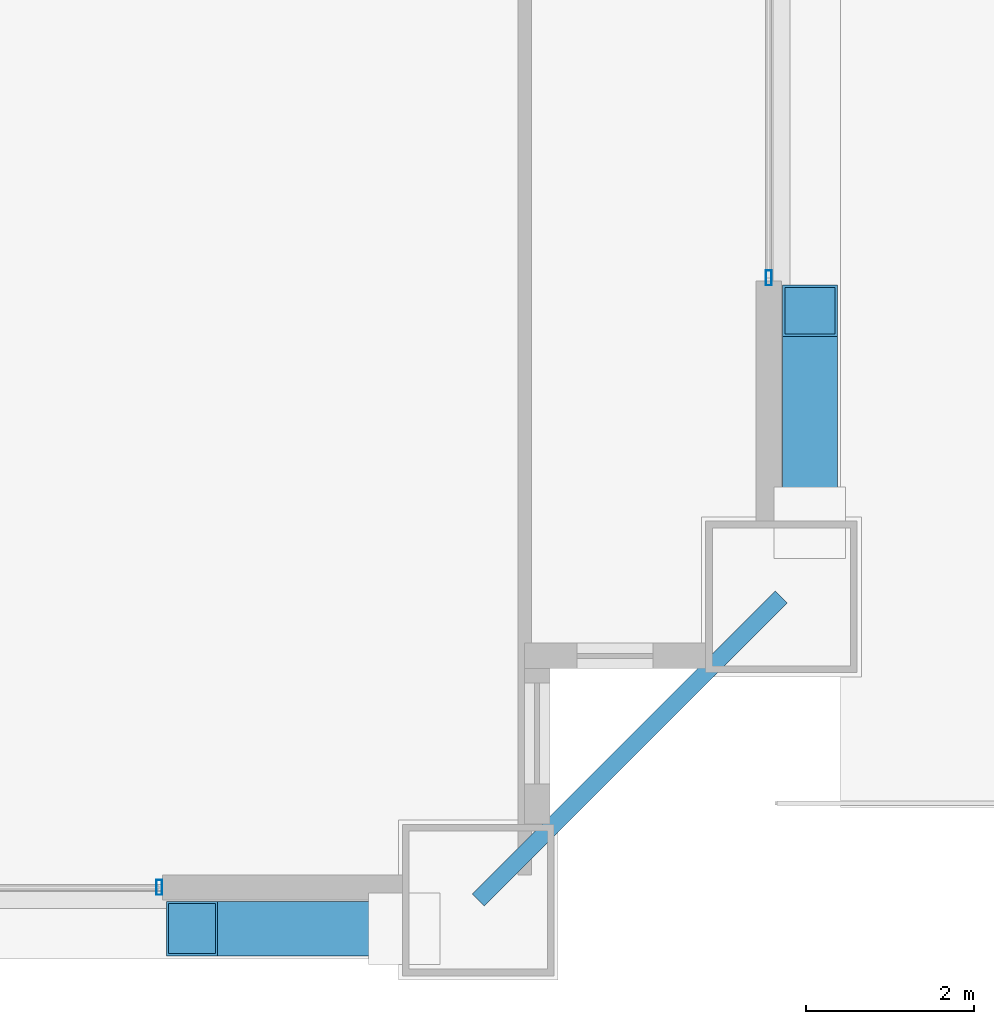
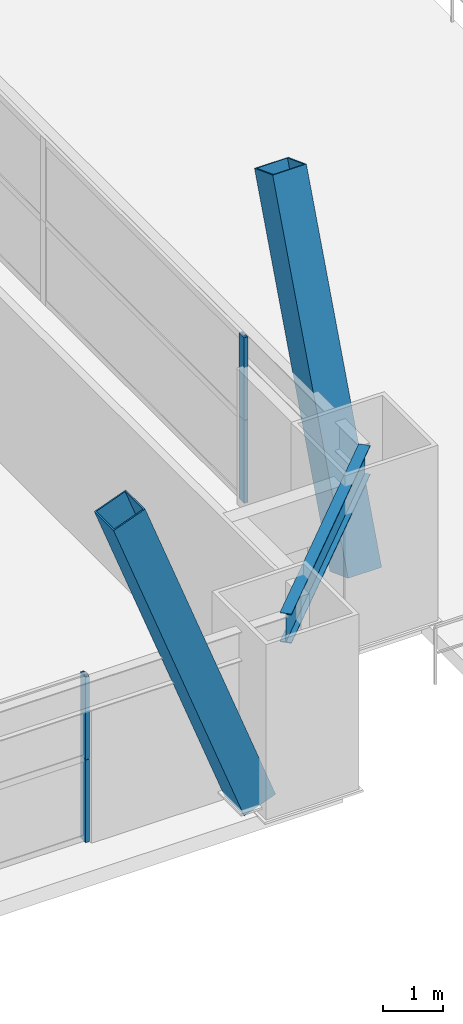
# One storey, part 15 of 45: 6 members, 1 beam, 2 elements without a shape of their own.
"""IFC4 building model written with IfcOpenShell, lengths in metres."""

from ifc_helpers import new_model, si_unit, direction, frame, origin, origin_2d, place, context, subcontext, project, spatial, hollow_rectangle, i_section, extrude, source, transform, mapped, material, layer, layer_set, material_profile, profile_set, type_object, element, aggregate, save


model = new_model("IFC4")

# Units and contexts
model_context = context("Model", 3, precision=1e-05, world=origin(), true_north=direction((0.0, 1.0)))
body_context = subcontext(model_context, "Body", "Model", "MODEL_VIEW")
ifc_project = project(units=[si_unit("LENGTHUNIT", "METRE"), si_unit("AREAUNIT", "SQUARE_METRE"), si_unit("VOLUMEUNIT", "CUBIC_METRE"), si_unit("PLANEANGLEUNIT", "RADIAN"), si_unit("MASSUNIT", "GRAM", prefix="KILO"), si_unit("THERMODYNAMICTEMPERATUREUNIT", "KELVIN"), si_unit("POWERUNIT", "WATT")], contexts=[model_context])

# Site, building, storey
site_placement = place(None, origin())
site = spatial("IfcSite", under=ifc_project, at=site_placement, CompositionType="ELEMENT")
building_placement = place(site_placement, origin())
building = spatial("IfcBuilding", under=site, at=building_placement, Name="Yuzanri Waterfront Tower", CompositionType="ELEMENT")
storey_placement = place(building_placement, frame((0.0, 0.0, 30.60009765625)))
storey = spatial("IfcBuildingStorey", under=building, at=storey_placement, Name="L07", CompositionType="ELEMENT", Elevation=30.60009765625)

# Beam
ifc_material_1 = material(Name="Steel Q355B", Category="steel")
ifc_material_profile_1 = material_profile(ifc_material_1, i_section(OverallWidth=0.199951171875, OverallDepth=0.60009765625, WebThickness=0.010986328125, FlangeThickness=0.01708984375, at=origin_2d()), Name="HN 600x200x11x17")
ifc_profile_set_1 = profile_set([ifc_material_profile_1], Name="Steel Q355B")
beam_type = type_object("IfcBeamType", Name="Perimeter Spandrel Q355B HN 600x200", PredefinedType="SPANDREL", material=ifc_profile_set_1)
shared_shape_1 = source(origin(), body_context, "Body", "SweptSolid", [
    extrude(i_section(OverallWidth=0.199951171875, OverallDepth=0.60009765625, WebThickness=0.010986328125, FlangeThickness=0.01708984375, at=origin_2d()), origin(), (0.0, 0.0, 1.0), 5.09130859375),
])
beam_placement = place(storey_placement, frame((58.5, 0.699951171875, 3.079833984375), z_axis=(0.707106781187, 0.707106781187, 0.0), x_axis=(-0.707106781187, 0.707106781187, 0.0)))
element("IfcBeam", 1, at=beam_placement, inside=storey, type_object=beam_type, Name="L07 Perimeter Spandrel S3-E1", PredefinedType="SPANDREL", context=body_context, shape_type="MappedRepresentation", body=[
    mapped(shared_shape_1, transform((0.0, 0.0, 0.0), scale=1.0)),
])

# Members
ifc_material_2 = material(Name="Steel Q420GJC", Category="steel")
ifc_material_profile_2 = material_profile(ifc_material_2, hollow_rectangle(XDim=0.64990234375, YDim=0.64990234375, WallThickness=0.028076171875, at=origin_2d()), Name="RHS 650x650x28")
ifc_profile_set_2 = profile_set([ifc_material_profile_2], Name="Steel Q420GJC")
member_type_1 = type_object("IfcMemberType", Name="Mega Brace Lower Q420GJC RHS 650x650x28", PredefinedType="BRACE", material=ifc_profile_set_2)
shared_shape_2 = source(origin(), body_context, "Body", "SweptSolid", [
    extrude(hollow_rectangle(XDim=0.64990234375, YDim=0.64990234375, WallThickness=0.028076171875, at=origin_2d()), origin(), (0.0, 0.0, 1.0), 7.158203125),
])
for number, where, z_axis, x_axis, name in (
    (2, (57.6201171875, 0.360107421875, 0.179931640625), (-0.352046480343, 0.0, 0.935982518896), (0.0, -1.0, 0.0), "L07-L08 Perimeter Mega-Brace S-R"),
    (3, (62.43994140625, 5.179931640625, 0.179931640625), (0.0, 0.352046480343, 0.935982518896), (-1.0, 0.0, 0.0), "L07-L08 Perimeter Mega-Brace E-L"),
):
    element("IfcMember", number, at=place(storey_placement, frame(where, z_axis=z_axis, x_axis=x_axis)), inside=storey, type_object=member_type_1, Name=name, PredefinedType="BRACE", context=body_context, shape_type="MappedRepresentation", body=[
        mapped(shared_shape_2, transform((0.0, 0.0, 0.0), scale=1.0)),
    ])

# Curtain wall, members
ifc_material_3 = material(Name="Anodized Architectural Bronze", Category="metal")
ifc_layer = layer(ifc_material_3, 0.159912109375)
ifc_layer_set = layer_set([ifc_layer], Name="Anodized Architectural Bronze")
curtain_wall_type = type_object("IfcCurtainWallType", Name="Anodized Bronze Hotel Lower-Tier Recessed Unitized Curtain Wall 8100", PredefinedType="NOTDEFINED", material=ifc_layer_set)
curtain_wall_1_placement = place(storey_placement, origin())
curtain_wall_1 = element("IfcCurtainWall", 4, at=curtain_wall_1_placement, inside=storey, type_object=curtain_wall_type, Name="L07 Curtain Wall CW-L07-SR", PredefinedType="NOTDEFINED")
ifc_material_4 = material(Name="Anodized Architectural Bronze", Category="metal")
ifc_material_profile_3 = material_profile(ifc_material_4, hollow_rectangle(XDim=0.070068359375, YDim=0.179931640625, WallThickness=0.00390625, at=origin_2d()), Name="CWM 70x180")
ifc_profile_set_3 = profile_set([ifc_material_profile_3], Name="Anodized Architectural Bronze")
member_type_2 = type_object("IfcMemberType", Name="Anodized Bronze Standard Curtain-Wall Mullion 70x180", PredefinedType="MULLION", material=ifc_profile_set_3)
shared_shape_3 = source(origin(), body_context, "Body", "SweptSolid", [
    extrude(hollow_rectangle(XDim=0.070068359375, YDim=0.179931640625, WallThickness=0.00390625, at=origin_2d()), origin(), (0.0, 0.0, 1.0), 1.68798828125),
])
member_1_placement = place(storey_placement, frame((54.7099609375, 0.85009765625, 0.0), z_axis=(0.0, 0.0, 1.0), x_axis=(1.0, 0.0, 0.0)))
member_1 = element("IfcMember", 5, at=member_1_placement, type_object=member_type_2, Name="CW-L07-SR Lower Mullion 02", PredefinedType="MULLION", context=body_context, shape_type="MappedRepresentation", body=[
    mapped(shared_shape_3, transform((0.0, 0.0, 0.0), scale=1.0)),
])
member_2_placement = place(storey_placement, frame((54.7099609375, 0.85009765625, 1.69189453125), z_axis=(0.0, 0.0, 1.0), x_axis=(1.0, 0.0, 0.0)))
member_2 = element("IfcMember", 6, at=member_2_placement, type_object=member_type_2, Name="CW-L07-SR Upper Mullion 02", PredefinedType="MULLION", context=body_context, shape_type="MappedRepresentation", body=[
    mapped(shared_shape_3, transform((0.0, 0.0, 0.0), scale=1.0)),
])
aggregate(curtain_wall_1, [member_1, member_2])

curtain_wall_2_placement = place(storey_placement, origin())
curtain_wall_2 = element("IfcCurtainWall", 7, at=curtain_wall_2_placement, inside=storey, type_object=curtain_wall_type, Name="L07 Curtain Wall CW-L07-EL1", PredefinedType="NOTDEFINED")
member_3_placement = place(storey_placement, frame((61.949951171875, 8.090087890625, 0.0), z_axis=(0.0, 0.0, 1.0), x_axis=(1.0, 0.0, 0.0)))
member_3 = element("IfcMember", 8, at=member_3_placement, type_object=member_type_2, Name="CW-L07-EL1 Lower Mullion 00", PredefinedType="MULLION", context=body_context, shape_type="MappedRepresentation", body=[
    mapped(shared_shape_3, transform((0.0, 0.0, 0.0), scale=1.0)),
])
member_4_placement = place(storey_placement, frame((61.949951171875, 8.090087890625, 1.69189453125), z_axis=(0.0, 0.0, 1.0), x_axis=(1.0, 0.0, 0.0)))
member_4 = element("IfcMember", 9, at=member_4_placement, type_object=member_type_2, Name="CW-L07-EL1 Upper Mullion 00", PredefinedType="MULLION", context=body_context, shape_type="MappedRepresentation", body=[
    mapped(shared_shape_3, transform((0.0, 0.0, 0.0), scale=1.0)),
])
aggregate(curtain_wall_2, [member_3, member_4])

save(model, "model.ifc")
